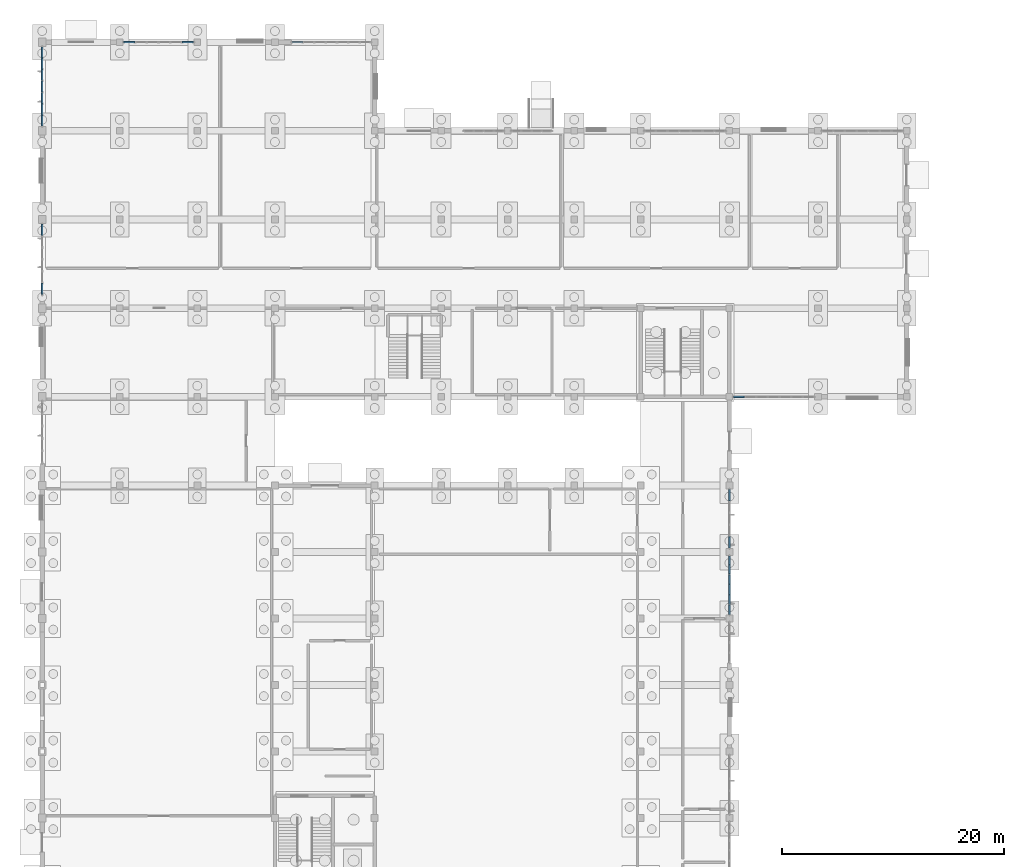
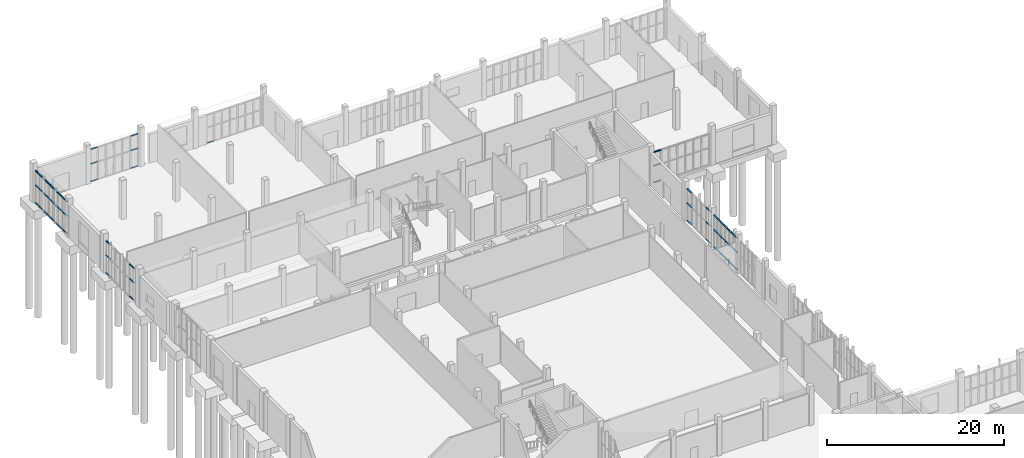
# One storey, part 26 of 69: 61 members, 8 elements without a shape of their own.
"""IFC4 building model written with IfcOpenShell, lengths in metres."""

import ifcopenshell
import ifcopenshell.guid

model = None  # the IFC model being written
_history = None  # IfcOwnerHistory: only IFC2X3 demands one
_inside = {}  # id of a spatial element -> (the spatial element, [elements in it])
_under = {}  # id of a project, library or spatial element -> (it, [spatial elements below it])
_declared = {}  # id of a project -> (the project, [libraries it declares])
_typed = {}  # id of a type object -> (the type object, [elements of that type])
_made_of = {}  # id of a material, layer set ... -> (it, [elements and type objects made of it])


def new_model(schema):
    """Start an empty IFC model of exactly this schema.

    Asked for "IFC4X3", IfcOpenShell would pick the latest addendum, in which some entities
    have other attributes; the version numbers below select the first issue.
    IFC2X3 requires an IfcOwnerHistory on every rooted entity: one is made here for all.
    """
    global model, _history
    if schema == "IFC4X3":
        model = ifcopenshell.file(schema_version=(4, 3, 0, 0))
    else:
        model = ifcopenshell.file(schema=schema)
    _inside.clear()
    _under.clear()
    _declared.clear()
    _typed.clear()
    _made_of.clear()
    _history = None
    if model.schema == "IFC2X3":
        org = make("IfcOrganization", Name="unknown")
        user = make(
            "IfcPersonAndOrganization",
            ThePerson=make("IfcPerson", FamilyName="unknown"),
            TheOrganization=org,
        )
        app = make(
            "IfcApplication",
            ApplicationDeveloper=org,
            Version="unknown",
            ApplicationFullName="unknown",
            ApplicationIdentifier="unknown",
        )
        _history = make(
            "IfcOwnerHistory",
            OwningUser=user,
            OwningApplication=app,
            ChangeAction="ADDED",
            CreationDate=0,
        )
    return model


def make(cls, **values):
    """One entity of the class cls with the attributes given. An attribute that is None is left unset."""
    return model.create_entity(
        cls, **{name: value for name, value in values.items() if value is not None}
    )


def rooted(cls, **values):
    """An entity with a GlobalId (a new one), such as an element, a storey or a relation."""
    return make(cls, GlobalId=ifcopenshell.guid.new(), OwnerHistory=_history, **values)


def si_unit(unit_type, name, prefix=None):
    """IfcSIUnit, for example si_unit("LENGTHUNIT", "METRE", prefix="MILLI")."""
    return make("IfcSIUnit", UnitType=unit_type, Prefix=prefix, Name=name)


def assignment(units):
    """IfcUnitAssignment: the units of a project."""
    return None if units is None else make("IfcUnitAssignment", Units=units)


def point(xyz):
    """IfcCartesianPoint."""
    return None if xyz is None else make("IfcCartesianPoint", Coordinates=xyz)


def direction(xyz):
    """IfcDirection."""
    return None if xyz is None else make("IfcDirection", DirectionRatios=xyz)


def frame(location, z_axis=None, x_axis=None):
    """IfcAxis2Placement3D, a coordinate frame: its origin and axes. An axis left out is left unset."""
    return make(
        "IfcAxis2Placement3D",
        Location=point(location),
        Axis=direction(z_axis),
        RefDirection=direction(x_axis),
    )


def frame_2d(location, x_axis=None):
    """IfcAxis2Placement2D, a coordinate frame in the plane: its origin and x axis."""
    return make(
        "IfcAxis2Placement2D", Location=point(location), RefDirection=direction(x_axis)
    )


def origin():
    """The frame at (0, 0, 0) with its axes left unset."""
    return frame((0.0, 0.0, 0.0))


def origin_2d():
    """The frame at (0, 0) in the plane with its x axis left unset."""
    return frame_2d((0.0, 0.0))


def place(relative_to, where):
    """IfcLocalPlacement: puts the frame where relative to a parent placement (None: the world)."""
    return make(
        "IfcLocalPlacement", PlacementRelTo=relative_to, RelativePlacement=where
    )


def context(
    kind, dimensions, precision=None, world=None, true_north=None, identifier=None
):
    """IfcGeometricRepresentationContext, for example the 3D "Model" context."""
    return make(
        "IfcGeometricRepresentationContext",
        ContextIdentifier=identifier,
        ContextType=kind,
        CoordinateSpaceDimension=dimensions,
        Precision=precision,
        WorldCoordinateSystem=world,
        TrueNorth=true_north,
    )


def subcontext(parent, identifier, kind, view, scale=None):
    """IfcGeometricRepresentationSubContext, for example "Body" below "Model"."""
    return make(
        "IfcGeometricRepresentationSubContext",
        ContextIdentifier=identifier,
        ContextType=kind,
        ParentContext=parent,
        TargetScale=scale,
        TargetView=view,
    )


def project(units=None, contexts=None):
    """IfcProject with its units and contexts."""
    return rooted(
        "IfcProject",
        Name="project",
        RepresentationContexts=contexts,
        UnitsInContext=assignment(units),
    )


def spatial(cls, under=None, at=None, **own):
    """A site, building, storey or space (cls), placed at a placement, below another one or the project."""
    s = rooted(cls, ObjectPlacement=at, **own)
    if under is not None:
        _under.setdefault(under.id(), (under, []))[1].append(s)
    return s


def profile(cls, at=None, kind="AREA", **sizes):
    """A parametric profile (cls). Its sizes go by their IFC names, for example OverallWidth=200.0."""
    return make(cls, ProfileType=kind, Position=at, **sizes)


def rectangle(**sizes):
    """IfcRectangleProfileDef."""
    return profile("IfcRectangleProfileDef", **sizes)


def extrude(swept, where, along, depth):
    """IfcExtrudedAreaSolid: the profile swept, set in the frame where, extruded along a direction by depth."""
    return make(
        "IfcExtrudedAreaSolid",
        SweptArea=swept,
        Position=where,
        ExtrudedDirection=direction(along),
        Depth=depth,
    )


def shape(context_of_items, identifier, shape_type, items):
    """IfcShapeRepresentation: the items that make up one representation, for example the "Body"."""
    return make(
        "IfcShapeRepresentation",
        ContextOfItems=context_of_items,
        RepresentationIdentifier=identifier,
        RepresentationType=shape_type,
        Items=items,
    )


def material(Name=None, Category=None):
    """IfcMaterial."""
    return make("IfcMaterial", Name=Name, Category=Category)


def layer(
    of_material, thickness, ventilated=None, Name=None, Category=None, Priority=None
):
    """IfcMaterialLayer: one layer of a wall or slab, of a material (None: an air gap)."""
    return make(
        "IfcMaterialLayer",
        Material=of_material,
        LayerThickness=thickness,
        IsVentilated=ventilated,
        Name=Name,
        Category=Category,
        Priority=Priority,
    )


def layer_set(layers, Name=None):
    """IfcMaterialLayerSet."""
    return make("IfcMaterialLayerSet", MaterialLayers=layers, LayerSetName=Name)


def material_profile(
    of_material, cross_section, Name=None, Category=None, Priority=None
):
    """IfcMaterialProfile: a cross section and its material."""
    return make(
        "IfcMaterialProfile",
        Name=Name,
        Material=of_material,
        Profile=cross_section,
        Priority=Priority,
        Category=Category,
    )


def profile_set(profiles, Name=None, composite=None):
    """IfcMaterialProfileSet."""
    return make(
        "IfcMaterialProfileSet",
        Name=Name,
        MaterialProfiles=profiles,
        CompositeProfile=composite,
    )


def made_of(thing, what):
    """Note that an element or type object is made of a material, layer set ...; save() writes the relation."""
    if what is not None:
        _made_of.setdefault(what.id(), (what, []))[1].append(thing)
    return thing


def type_object(cls, material=None, **own):
    """A type object (cls), such as IfcWallType, which elements share."""
    return made_of(rooted(cls, **own), material)


def element(
    cls,
    number,
    at=None,
    inside=None,
    cuts=None,
    type_object=None,
    material=None,
    context=None,
    identifier="Body",
    shape_type=None,
    held_by="IfcProductDefinitionShape",
    body=None,
    shapes=None,
    **own,
):
    """One element of the class cls, such as IfcWall. Its Tag is "e" and its number.

    at: its placement. inside: the storey or other place that contains it. cuts: it is an
    opening in that element (IfcRelVoidsElement). A single representation is given by context,
    identifier, shape_type and body (its items); several are given by shapes. held_by: the class
    of the entity that holds the representations. save() writes the other relations.
    """
    e = rooted(cls, Tag="e%d" % number, ObjectPlacement=at, **own)
    if body is not None:
        shapes = [shape(context, identifier, shape_type, body)]
    if shapes is not None:
        e.Representation = make(held_by, Representations=shapes)
    if inside is not None:
        _inside.setdefault(inside.id(), (inside, []))[1].append(e)
    if cuts is not None:
        rooted(
            "IfcRelVoidsElement", RelatingBuildingElement=cuts, RelatedOpeningElement=e
        )
    if type_object is not None:
        _typed.setdefault(type_object.id(), (type_object, []))[1].append(e)
    return made_of(e, material)


def aggregate(whole, parts):
    """IfcRelAggregates: a whole, such as a stair, and the parts it consists of."""
    return rooted("IfcRelAggregates", RelatingObject=whole, RelatedObjects=parts)


def save(model, path):
    """Write the relations noted so far, then the file.

    IfcRelAggregates (storeys below a building ...), IfcRelContainedInSpatialStructure (elements
    in a storey), IfcRelDefinesByType, IfcRelAssociatesMaterial and IfcRelDeclares: one each for
    every whole, place, type object, material and project.
    """
    for whole, parts in _under.values():
        aggregate(whole, parts)
    for where, things in _inside.values():
        rooted(
            "IfcRelContainedInSpatialStructure",
            RelatedElements=things,
            RelatingStructure=where,
        )
    for kind, things in _typed.values():
        rooted("IfcRelDefinesByType", RelatedObjects=things, RelatingType=kind)
    for what, things in _made_of.values():
        rooted("IfcRelAssociatesMaterial", RelatedObjects=things, RelatingMaterial=what)
    for by, libraries in _declared.values():
        rooted("IfcRelDeclares", RelatingContext=by, RelatedDefinitions=libraries)
    model.write(path)


model = new_model("IFC4")

# Units and contexts
model_context = context("Model", 3, precision=1e-05, world=origin(), true_north=direction((0.0, 1.0)))
body_context = subcontext(model_context, "Body", "Model", "MODEL_VIEW")
ifc_project = project(units=[si_unit("LENGTHUNIT", "METRE"), si_unit("AREAUNIT", "SQUARE_METRE"), si_unit("VOLUMEUNIT", "CUBIC_METRE"), si_unit("PLANEANGLEUNIT", "RADIAN"), si_unit("MASSUNIT", "GRAM", prefix="KILO")], contexts=[model_context])

# Site, building, storey
site_placement = place(None, origin())
site = spatial("IfcSite", under=ifc_project, at=site_placement, CompositionType="ELEMENT")
building_placement = place(site_placement, origin())
building = spatial("IfcBuilding", under=site, at=building_placement, Name="Solvane Community Centre", CompositionType="ELEMENT")
storey_placement = place(building_placement, origin())
storey = spatial("IfcBuildingStorey", under=building, at=storey_placement, Name="L00", CompositionType="ELEMENT", Elevation=0.0)

# Curtain wall, members
ifc_material = material(Name="Anodised bronze aluminium AW-6063 T6", Category="aluminium")
ifc_layer_1 = layer(ifc_material, 0.18994140625)
ifc_layer_set_1 = layer_set([ifc_layer_1], Name="Anodised bronze aluminium AW-6063 T6")
curtain_wall_type_1 = type_object("IfcCurtainWallType", Name="Boulevard Bronze Vision Curtain Wall [64x44dm]", PredefinedType="NOTDEFINED", material=ifc_layer_set_1)
curtain_wall_1_placement = place(storey_placement, origin())
curtain_wall_1 = element("IfcCurtainWall", 1, at=curtain_wall_1_placement, inside=storey, type_object=curtain_wall_type_1, Name="Curtain Wall CW-L00-60_952-006", PredefinedType="NOTDEFINED")
ifc_material_profile = material_profile(ifc_material, rectangle(XDim=0.14990234375, YDim=0.06005859375, at=origin_2d()), Name="CW-T 60x150")
ifc_profile_set = profile_set([ifc_material_profile], Name="Anodised bronze aluminium AW-6063 T6")
member_type = type_object("IfcMemberType", Name="Boulevard Transom 60x150", PredefinedType="USERDEFINED", material=ifc_profile_set)
member_1_placement = place(storey_placement, frame((6.0, 95.260009765625, 0.030029296875), z_axis=(0.0, 1.0, 0.0), x_axis=(-1.0, 0.0, 0.0)))
member_1 = element("IfcMember", 2, at=member_1_placement, type_object=member_type, Name="CW02-64x44 transom 1.1", ObjectType="TRANSOM", PredefinedType="USERDEFINED", context=body_context, shape_type="SweptSolid", body=[
    extrude(rectangle(XDim=0.14990234375, YDim=0.06005859375, at=origin_2d()), origin(), (0.0, 0.0, 1.0), 0.978271484375),
])
member_2_placement = place(storey_placement, frame((6.0, 95.260009765625, 2.445068359375), z_axis=(0.0, 1.0, 0.0), x_axis=(-1.0, 0.0, 0.0)))
member_2 = element("IfcMember", 3, at=member_2_placement, type_object=member_type, Name="CW02-64x44 transom 1.2", ObjectType="TRANSOM", PredefinedType="USERDEFINED", context=body_context, shape_type="SweptSolid", body=[
    extrude(rectangle(XDim=0.14990234375, YDim=0.06005859375, at=origin_2d()), origin(), (0.0, 0.0, 1.0), 0.978271484375),
])
member_3_placement = place(storey_placement, frame((6.0, 95.260009765625, 4.4150390625), z_axis=(0.0, 1.0, 0.0), x_axis=(-1.0, 0.0, 0.0)))
member_3 = element("IfcMember", 4, at=member_3_placement, type_object=member_type, Name="CW02-64x44 transom 1.3", ObjectType="TRANSOM", PredefinedType="USERDEFINED", context=body_context, shape_type="SweptSolid", body=[
    extrude(rectangle(XDim=0.14990234375, YDim=0.06005859375, at=origin_2d()), origin(), (0.0, 0.0, 1.0), 0.978271484375),
])
member_4_placement = place(storey_placement, frame((6.0, 100.57177734375, 0.030029296875), z_axis=(0.0, 1.0, 0.0), x_axis=(-1.0, 0.0, 0.0)))
member_4 = element("IfcMember", 5, at=member_4_placement, type_object=member_type, Name="CW02-64x44 transom 6.1", ObjectType="TRANSOM", PredefinedType="USERDEFINED", context=body_context, shape_type="SweptSolid", body=[
    extrude(rectangle(XDim=0.14990234375, YDim=0.06005859375, at=origin_2d()), origin(), (0.0, 0.0, 1.0), 0.978271484375),
])
member_5_placement = place(storey_placement, frame((6.0, 100.57177734375, 2.445068359375), z_axis=(0.0, 1.0, 0.0), x_axis=(-1.0, 0.0, 0.0)))
member_5 = element("IfcMember", 6, at=member_5_placement, type_object=member_type, Name="CW02-64x44 transom 6.2", ObjectType="TRANSOM", PredefinedType="USERDEFINED", context=body_context, shape_type="SweptSolid", body=[
    extrude(rectangle(XDim=0.14990234375, YDim=0.06005859375, at=origin_2d()), origin(), (0.0, 0.0, 1.0), 0.978271484375),
])
member_6_placement = place(storey_placement, frame((6.0, 100.57177734375, 4.4150390625), z_axis=(0.0, 1.0, 0.0), x_axis=(-1.0, 0.0, 0.0)))
member_6 = element("IfcMember", 7, at=member_6_placement, type_object=member_type, Name="CW02-64x44 transom 6.3", ObjectType="TRANSOM", PredefinedType="USERDEFINED", context=body_context, shape_type="SweptSolid", body=[
    extrude(rectangle(XDim=0.14990234375, YDim=0.06005859375, at=origin_2d()), origin(), (0.0, 0.0, 1.0), 0.978271484375),
])
aggregate(curtain_wall_1, [member_1, member_2, member_3, member_4, member_5, member_6])

ifc_layer_2 = layer(ifc_material, 0.18994140625)
ifc_layer_set_2 = layer_set([ifc_layer_2], Name="Anodised bronze aluminium AW-6063 T6")
curtain_wall_type_2 = type_object("IfcCurtainWallType", Name="Boulevard Bronze Vision Curtain Wall [72x44dm]", PredefinedType="NOTDEFINED", material=ifc_layer_set_2)
curtain_wall_2_placement = place(storey_placement, origin())
curtain_wall_2 = element("IfcCurtainWall", 8, at=curtain_wall_2_placement, inside=storey, type_object=curtain_wall_type_2, Name="Curtain Wall CW-L00-60_1104-007", PredefinedType="NOTDEFINED")
member_7_placement = place(storey_placement, frame((6.0, 110.449951171875, 0.030029296875), z_axis=(0.0, 1.0, 0.0), x_axis=(-1.0, 0.0, 0.0)))
member_7 = element("IfcMember", 9, at=member_7_placement, type_object=member_type, Name="CW02-72x44 transom 1.1", ObjectType="TRANSOM", PredefinedType="USERDEFINED", context=body_context, shape_type="SweptSolid", body=[
    extrude(rectangle(XDim=0.14990234375, YDim=0.06005859375, at=origin_2d()), origin(), (0.0, 0.0, 1.0), 0.94140625),
])
member_8_placement = place(storey_placement, frame((6.0, 110.449951171875, 2.445068359375), z_axis=(0.0, 1.0, 0.0), x_axis=(-1.0, 0.0, 0.0)))
member_8 = element("IfcMember", 10, at=member_8_placement, type_object=member_type, Name="CW02-72x44 transom 1.2", ObjectType="TRANSOM", PredefinedType="USERDEFINED", context=body_context, shape_type="SweptSolid", body=[
    extrude(rectangle(XDim=0.14990234375, YDim=0.06005859375, at=origin_2d()), origin(), (0.0, 0.0, 1.0), 0.94140625),
])
member_9_placement = place(storey_placement, frame((6.0, 110.449951171875, 4.4150390625), z_axis=(0.0, 1.0, 0.0), x_axis=(-1.0, 0.0, 0.0)))
member_9 = element("IfcMember", 11, at=member_9_placement, type_object=member_type, Name="CW02-72x44 transom 1.3", ObjectType="TRANSOM", PredefinedType="USERDEFINED", context=body_context, shape_type="SweptSolid", body=[
    extrude(rectangle(XDim=0.14990234375, YDim=0.06005859375, at=origin_2d()), origin(), (0.0, 0.0, 1.0), 0.94140625),
])
member_10_placement = place(storey_placement, frame((6.0, 111.451416015625, 0.030029296875), z_axis=(0.0, 1.0, 0.0), x_axis=(-1.0, 0.0, 0.0)))
member_10 = element("IfcMember", 12, at=member_10_placement, type_object=member_type, Name="CW02-72x44 transom 2.1", ObjectType="TRANSOM", PredefinedType="USERDEFINED", context=body_context, shape_type="SweptSolid", body=[
    extrude(rectangle(XDim=0.14990234375, YDim=0.06005859375, at=origin_2d()), origin(), (0.0, 0.0, 1.0), 0.971435546875),
])
member_11_placement = place(storey_placement, frame((6.0, 111.451416015625, 2.445068359375), z_axis=(0.0, 1.0, 0.0), x_axis=(-1.0, 0.0, 0.0)))
member_11 = element("IfcMember", 13, at=member_11_placement, type_object=member_type, Name="CW02-72x44 transom 2.2", ObjectType="TRANSOM", PredefinedType="USERDEFINED", context=body_context, shape_type="SweptSolid", body=[
    extrude(rectangle(XDim=0.14990234375, YDim=0.06005859375, at=origin_2d()), origin(), (0.0, 0.0, 1.0), 0.971435546875),
])
member_12_placement = place(storey_placement, frame((6.0, 111.451416015625, 4.4150390625), z_axis=(0.0, 1.0, 0.0), x_axis=(-1.0, 0.0, 0.0)))
member_12 = element("IfcMember", 14, at=member_12_placement, type_object=member_type, Name="CW02-72x44 transom 2.3", ObjectType="TRANSOM", PredefinedType="USERDEFINED", context=body_context, shape_type="SweptSolid", body=[
    extrude(rectangle(XDim=0.14990234375, YDim=0.06005859375, at=origin_2d()), origin(), (0.0, 0.0, 1.0), 0.971435546875),
])
member_13_placement = place(storey_placement, frame((6.0, 112.48291015625, 0.030029296875), z_axis=(0.0, 1.0, 0.0), x_axis=(-1.0, 0.0, 0.0)))
member_13 = element("IfcMember", 15, at=member_13_placement, type_object=member_type, Name="CW02-72x44 transom 3.1", ObjectType="TRANSOM", PredefinedType="USERDEFINED", context=body_context, shape_type="SweptSolid", body=[
    extrude(rectangle(XDim=0.14990234375, YDim=0.06005859375, at=origin_2d()), origin(), (0.0, 0.0, 1.0), 0.971435546875),
])
member_14_placement = place(storey_placement, frame((6.0, 112.48291015625, 2.445068359375), z_axis=(0.0, 1.0, 0.0), x_axis=(-1.0, 0.0, 0.0)))
member_14 = element("IfcMember", 16, at=member_14_placement, type_object=member_type, Name="CW02-72x44 transom 3.2", ObjectType="TRANSOM", PredefinedType="USERDEFINED", context=body_context, shape_type="SweptSolid", body=[
    extrude(rectangle(XDim=0.14990234375, YDim=0.06005859375, at=origin_2d()), origin(), (0.0, 0.0, 1.0), 0.971435546875),
])
member_15_placement = place(storey_placement, frame((6.0, 112.48291015625, 4.4150390625), z_axis=(0.0, 1.0, 0.0), x_axis=(-1.0, 0.0, 0.0)))
member_15 = element("IfcMember", 17, at=member_15_placement, type_object=member_type, Name="CW02-72x44 transom 3.3", ObjectType="TRANSOM", PredefinedType="USERDEFINED", context=body_context, shape_type="SweptSolid", body=[
    extrude(rectangle(XDim=0.14990234375, YDim=0.06005859375, at=origin_2d()), origin(), (0.0, 0.0, 1.0), 0.971435546875),
])
member_16_placement = place(storey_placement, frame((6.0, 113.514404296875, 0.030029296875), z_axis=(0.0, 1.0, 0.0), x_axis=(-1.0, 0.0, 0.0)))
member_16 = element("IfcMember", 18, at=member_16_placement, type_object=member_type, Name="CW02-72x44 transom 4.1", ObjectType="TRANSOM", PredefinedType="USERDEFINED", context=body_context, shape_type="SweptSolid", body=[
    extrude(rectangle(XDim=0.14990234375, YDim=0.06005859375, at=origin_2d()), origin(), (0.0, 0.0, 1.0), 0.97119140625),
])
member_17_placement = place(storey_placement, frame((6.0, 113.514404296875, 2.445068359375), z_axis=(0.0, 1.0, 0.0), x_axis=(-1.0, 0.0, 0.0)))
member_17 = element("IfcMember", 19, at=member_17_placement, type_object=member_type, Name="CW02-72x44 transom 4.2", ObjectType="TRANSOM", PredefinedType="USERDEFINED", context=body_context, shape_type="SweptSolid", body=[
    extrude(rectangle(XDim=0.14990234375, YDim=0.06005859375, at=origin_2d()), origin(), (0.0, 0.0, 1.0), 0.97119140625),
])
member_18_placement = place(storey_placement, frame((6.0, 113.514404296875, 4.4150390625), z_axis=(0.0, 1.0, 0.0), x_axis=(-1.0, 0.0, 0.0)))
member_18 = element("IfcMember", 20, at=member_18_placement, type_object=member_type, Name="CW02-72x44 transom 4.3", ObjectType="TRANSOM", PredefinedType="USERDEFINED", context=body_context, shape_type="SweptSolid", body=[
    extrude(rectangle(XDim=0.14990234375, YDim=0.06005859375, at=origin_2d()), origin(), (0.0, 0.0, 1.0), 0.97119140625),
])
member_19_placement = place(storey_placement, frame((6.0, 114.545654296875, 0.030029296875), z_axis=(0.0, 1.0, 0.0), x_axis=(-1.0, 0.0, 0.0)))
member_19 = element("IfcMember", 21, at=member_19_placement, type_object=member_type, Name="CW02-72x44 transom 5.1", ObjectType="TRANSOM", PredefinedType="USERDEFINED", context=body_context, shape_type="SweptSolid", body=[
    extrude(rectangle(XDim=0.14990234375, YDim=0.06005859375, at=origin_2d()), origin(), (0.0, 0.0, 1.0), 0.971435546875),
])
member_20_placement = place(storey_placement, frame((6.0, 114.545654296875, 2.445068359375), z_axis=(0.0, 1.0, 0.0), x_axis=(-1.0, 0.0, 0.0)))
member_20 = element("IfcMember", 22, at=member_20_placement, type_object=member_type, Name="CW02-72x44 transom 5.2", ObjectType="TRANSOM", PredefinedType="USERDEFINED", context=body_context, shape_type="SweptSolid", body=[
    extrude(rectangle(XDim=0.14990234375, YDim=0.06005859375, at=origin_2d()), origin(), (0.0, 0.0, 1.0), 0.971435546875),
])
member_21_placement = place(storey_placement, frame((6.0, 114.545654296875, 4.4150390625), z_axis=(0.0, 1.0, 0.0), x_axis=(-1.0, 0.0, 0.0)))
member_21 = element("IfcMember", 23, at=member_21_placement, type_object=member_type, Name="CW02-72x44 transom 5.3", ObjectType="TRANSOM", PredefinedType="USERDEFINED", context=body_context, shape_type="SweptSolid", body=[
    extrude(rectangle(XDim=0.14990234375, YDim=0.06005859375, at=origin_2d()), origin(), (0.0, 0.0, 1.0), 0.971435546875),
])
member_22_placement = place(storey_placement, frame((6.0, 115.5771484375, 0.030029296875), z_axis=(0.0, 1.0, 0.0), x_axis=(-1.0, 0.0, 0.0)))
member_22 = element("IfcMember", 24, at=member_22_placement, type_object=member_type, Name="CW02-72x44 transom 6.1", ObjectType="TRANSOM", PredefinedType="USERDEFINED", context=body_context, shape_type="SweptSolid", body=[
    extrude(rectangle(XDim=0.14990234375, YDim=0.06005859375, at=origin_2d()), origin(), (0.0, 0.0, 1.0), 0.971435546875),
])
member_23_placement = place(storey_placement, frame((6.0, 115.5771484375, 2.445068359375), z_axis=(0.0, 1.0, 0.0), x_axis=(-1.0, 0.0, 0.0)))
member_23 = element("IfcMember", 25, at=member_23_placement, type_object=member_type, Name="CW02-72x44 transom 6.2", ObjectType="TRANSOM", PredefinedType="USERDEFINED", context=body_context, shape_type="SweptSolid", body=[
    extrude(rectangle(XDim=0.14990234375, YDim=0.06005859375, at=origin_2d()), origin(), (0.0, 0.0, 1.0), 0.971435546875),
])
member_24_placement = place(storey_placement, frame((6.0, 115.5771484375, 4.4150390625), z_axis=(0.0, 1.0, 0.0), x_axis=(-1.0, 0.0, 0.0)))
member_24 = element("IfcMember", 26, at=member_24_placement, type_object=member_type, Name="CW02-72x44 transom 6.3", ObjectType="TRANSOM", PredefinedType="USERDEFINED", context=body_context, shape_type="SweptSolid", body=[
    extrude(rectangle(XDim=0.14990234375, YDim=0.06005859375, at=origin_2d()), origin(), (0.0, 0.0, 1.0), 0.971435546875),
])
member_25_placement = place(storey_placement, frame((6.0, 116.608642578125, 0.030029296875), z_axis=(0.0, 1.0, 0.0), x_axis=(-1.0, 0.0, 0.0)))
member_25 = element("IfcMember", 27, at=member_25_placement, type_object=member_type, Name="CW02-72x44 transom 7.1", ObjectType="TRANSOM", PredefinedType="USERDEFINED", context=body_context, shape_type="SweptSolid", body=[
    extrude(rectangle(XDim=0.14990234375, YDim=0.06005859375, at=origin_2d()), origin(), (0.0, 0.0, 1.0), 0.94140625),
])
member_26_placement = place(storey_placement, frame((6.0, 116.608642578125, 2.445068359375), z_axis=(0.0, 1.0, 0.0), x_axis=(-1.0, 0.0, 0.0)))
member_26 = element("IfcMember", 28, at=member_26_placement, type_object=member_type, Name="CW02-72x44 transom 7.2", ObjectType="TRANSOM", PredefinedType="USERDEFINED", context=body_context, shape_type="SweptSolid", body=[
    extrude(rectangle(XDim=0.14990234375, YDim=0.06005859375, at=origin_2d()), origin(), (0.0, 0.0, 1.0), 0.94140625),
])
member_27_placement = place(storey_placement, frame((6.0, 116.608642578125, 4.4150390625), z_axis=(0.0, 1.0, 0.0), x_axis=(-1.0, 0.0, 0.0)))
member_27 = element("IfcMember", 29, at=member_27_placement, type_object=member_type, Name="CW02-72x44 transom 7.3", ObjectType="TRANSOM", PredefinedType="USERDEFINED", context=body_context, shape_type="SweptSolid", body=[
    extrude(rectangle(XDim=0.14990234375, YDim=0.06005859375, at=origin_2d()), origin(), (0.0, 0.0, 1.0), 0.94140625),
])
aggregate(curtain_wall_2, [member_7, member_8, member_9, member_10, member_11, member_12, member_13, member_14, member_15, member_16, member_17, member_18, member_19, member_20, member_21, member_22, member_23, member_24, member_25, member_26, member_27])

ifc_layer_3 = layer(ifc_material, 0.18994140625)
ifc_layer_set_3 = layer_set([ifc_layer_3], Name="Anodised bronze aluminium AW-6063 T6")
curtain_wall_type_3 = type_object("IfcCurtainWallType", Name="Boulevard Bronze Vision Curtain Wall [64x45dm]", PredefinedType="NOTDEFINED", material=ifc_layer_set_3)
curtain_wall_3_placement = place(storey_placement, origin())
curtain_wall_3 = element("IfcCurtainWall", 30, at=curtain_wall_3_placement, inside=storey, type_object=curtain_wall_type_3, Name="Curtain Wall CW-L00-133_1180-008", PredefinedType="NOTDEFINED")
member_28_placement = place(storey_placement, frame((13.3798828125, 118.0, 0.030029296875), z_axis=(1.0, 0.0, 0.0), x_axis=(0.0, 1.0, 0.0)))
member_28 = element("IfcMember", 31, at=member_28_placement, type_object=member_type, Name="CW02-64x45 transom 1.1", ObjectType="TRANSOM", PredefinedType="USERDEFINED", context=body_context, shape_type="SweptSolid", body=[
    extrude(rectangle(XDim=0.14990234375, YDim=0.06005859375, at=origin_2d()), origin(), (0.0, 0.0, 1.0), 0.97021484375),
])
member_29_placement = place(storey_placement, frame((13.3798828125, 118.0, 2.471923828125), z_axis=(1.0, 0.0, 0.0), x_axis=(0.0, 1.0, 0.0)))
member_29 = element("IfcMember", 32, at=member_29_placement, type_object=member_type, Name="CW02-64x45 transom 1.2", ObjectType="TRANSOM", PredefinedType="USERDEFINED", context=body_context, shape_type="SweptSolid", body=[
    extrude(rectangle(XDim=0.14990234375, YDim=0.06005859375, at=origin_2d()), origin(), (0.0, 0.0, 1.0), 0.97021484375),
])
member_30_placement = place(storey_placement, frame((13.3798828125, 118.0, 4.465087890625), z_axis=(1.0, 0.0, 0.0), x_axis=(0.0, 1.0, 0.0)))
member_30 = element("IfcMember", 33, at=member_30_placement, type_object=member_type, Name="CW02-64x45 transom 1.3", ObjectType="TRANSOM", PredefinedType="USERDEFINED", context=body_context, shape_type="SweptSolid", body=[
    extrude(rectangle(XDim=0.14990234375, YDim=0.06005859375, at=origin_2d()), origin(), (0.0, 0.0, 1.0), 0.97021484375),
])
member_31_placement = place(storey_placement, frame((18.64990234375, 118.0, 0.030029296875), z_axis=(1.0, 0.0, 0.0), x_axis=(0.0, 1.0, 0.0)))
member_31 = element("IfcMember", 34, at=member_31_placement, type_object=member_type, Name="CW02-64x45 transom 6.1", ObjectType="TRANSOM", PredefinedType="USERDEFINED", context=body_context, shape_type="SweptSolid", body=[
    extrude(rectangle(XDim=0.14990234375, YDim=0.06005859375, at=origin_2d()), origin(), (0.0, 0.0, 1.0), 0.97021484375),
])
member_32_placement = place(storey_placement, frame((18.64990234375, 118.0, 2.471923828125), z_axis=(1.0, 0.0, 0.0), x_axis=(0.0, 1.0, 0.0)))
member_32 = element("IfcMember", 35, at=member_32_placement, type_object=member_type, Name="CW02-64x45 transom 6.2", ObjectType="TRANSOM", PredefinedType="USERDEFINED", context=body_context, shape_type="SweptSolid", body=[
    extrude(rectangle(XDim=0.14990234375, YDim=0.06005859375, at=origin_2d()), origin(), (0.0, 0.0, 1.0), 0.97021484375),
])
member_33_placement = place(storey_placement, frame((18.64990234375, 118.0, 4.465087890625), z_axis=(1.0, 0.0, 0.0), x_axis=(0.0, 1.0, 0.0)))
member_33 = element("IfcMember", 36, at=member_33_placement, type_object=member_type, Name="CW02-64x45 transom 6.3", ObjectType="TRANSOM", PredefinedType="USERDEFINED", context=body_context, shape_type="SweptSolid", body=[
    extrude(rectangle(XDim=0.14990234375, YDim=0.06005859375, at=origin_2d()), origin(), (0.0, 0.0, 1.0), 0.97021484375),
])
aggregate(curtain_wall_3, [member_28, member_29, member_30, member_31, member_32, member_33])

# Curtain wall, member
ifc_layer_4 = layer(ifc_material, 0.18994140625)
ifc_layer_set_4 = layer_set([ifc_layer_4], Name="Anodised bronze aluminium AW-6063 T6")
curtain_wall_type_4 = type_object("IfcCurtainWallType", Name="Boulevard Bronze Vision Curtain Wall [72x39dm]", PredefinedType="NOTDEFINED", material=ifc_layer_set_4)
curtain_wall_4_placement = place(storey_placement, origin())
curtain_wall_4 = element("IfcCurtainWall", 37, at=curtain_wall_4_placement, inside=storey, type_object=curtain_wall_type_4, Name="Curtain Wall CW-L00-285_1180-009", PredefinedType="NOTDEFINED")
member_34_placement = place(storey_placement, frame((28.56005859375, 118.0, 0.030029296875), z_axis=(1.0, 0.0, 0.0), x_axis=(0.0, 1.0, 0.0)))
member_34 = element("IfcMember", 38, at=member_34_placement, type_object=member_type, Name="CW02-72x39 transom 1.1", ObjectType="TRANSOM", PredefinedType="USERDEFINED", context=body_context, shape_type="SweptSolid", body=[
    extrude(rectangle(XDim=0.14990234375, YDim=0.06005859375, at=origin_2d()), origin(), (0.0, 0.0, 1.0), 0.935546875),
])
aggregate(curtain_wall_4, [member_34])

# Curtain wall, members
ifc_layer_5 = layer(ifc_material, 0.18994140625)
ifc_layer_set_5 = layer_set([ifc_layer_5], Name="Anodised bronze aluminium AW-6063 T6")
curtain_wall_type_5 = type_object("IfcCurtainWallType", Name="Boulevard Bronze Vision Curtain Wall [74x42dm]", PredefinedType="NOTDEFINED", material=ifc_layer_set_5)
curtain_wall_5_placement = place(storey_placement, origin())
curtain_wall_5 = element("IfcCurtainWall", 39, at=curtain_wall_5_placement, inside=storey, type_object=curtain_wall_type_5, Name="Curtain Wall CW-L00-757_860-014", PredefinedType="NOTDEFINED")
member_35_placement = place(storey_placement, frame((69.337158203125, 86.0, 0.030029296875), z_axis=(-1.0, 0.0, 0.0), x_axis=(0.0, -1.0, 0.0)))
member_35 = element("IfcMember", 40, at=member_35_placement, type_object=member_type, Name="CW02-74x42 transom 7.1", ObjectType="TRANSOM", PredefinedType="USERDEFINED", context=body_context, shape_type="SweptSolid", body=[
    extrude(rectangle(XDim=0.14990234375, YDim=0.06005859375, at=origin_2d()), origin(), (0.0, 0.0, 1.0), 0.962158203125),
])
member_36_placement = place(storey_placement, frame((69.337158203125, 86.0, 2.3349609375), z_axis=(-1.0, 0.0, 0.0), x_axis=(0.0, -1.0, 0.0)))
member_36 = element("IfcMember", 41, at=member_36_placement, type_object=member_type, Name="CW02-74x42 transom 7.2", ObjectType="TRANSOM", PredefinedType="USERDEFINED", context=body_context, shape_type="SweptSolid", body=[
    extrude(rectangle(XDim=0.14990234375, YDim=0.06005859375, at=origin_2d()), origin(), (0.0, 0.0, 1.0), 0.962158203125),
])
member_37_placement = place(storey_placement, frame((69.337158203125, 86.0, 4.215087890625), z_axis=(-1.0, 0.0, 0.0), x_axis=(0.0, -1.0, 0.0)))
member_37 = element("IfcMember", 42, at=member_37_placement, type_object=member_type, Name="CW02-74x42 transom 7.3", ObjectType="TRANSOM", PredefinedType="USERDEFINED", context=body_context, shape_type="SweptSolid", body=[
    extrude(rectangle(XDim=0.14990234375, YDim=0.06005859375, at=origin_2d()), origin(), (0.0, 0.0, 1.0), 0.962158203125),
])
aggregate(curtain_wall_5, [member_35, member_36, member_37])

ifc_layer_6 = layer(ifc_material, 0.18994140625)
ifc_layer_set_6 = layer_set([ifc_layer_6], Name="Anodised bronze aluminium AW-6063 T6")
curtain_wall_type_6 = type_object("IfcCurtainWallType", Name="Boulevard Bronze Vision Curtain Wall [54x44dm]", PredefinedType="NOTDEFINED", material=ifc_layer_set_6)
curtain_wall_6_placement = place(storey_placement, origin())
curtain_wall_6 = element("IfcCurtainWall", 43, at=curtain_wall_6_placement, inside=storey, type_object=curtain_wall_type_6, Name="Curtain Wall CW-L00-680_777-015", PredefinedType="NOTDEFINED")
member_38_placement = place(storey_placement, frame((68.0, 77.6201171875, 0.030029296875), z_axis=(0.0, -1.0, 0.0), x_axis=(1.0, 0.0, 0.0)))
member_38 = element("IfcMember", 44, at=member_38_placement, type_object=member_type, Name="CW02-54x44 transom 1.1", ObjectType="TRANSOM", PredefinedType="USERDEFINED", context=body_context, shape_type="SweptSolid", body=[
    extrude(rectangle(XDim=0.14990234375, YDim=0.06005859375, at=origin_2d()), origin(), (0.0, 0.0, 1.0), 0.982177734375),
])
member_39_placement = place(storey_placement, frame((68.0, 77.6201171875, 2.43408203125), z_axis=(0.0, -1.0, 0.0), x_axis=(1.0, 0.0, 0.0)))
member_39 = element("IfcMember", 45, at=member_39_placement, type_object=member_type, Name="CW02-54x44 transom 1.2", ObjectType="TRANSOM", PredefinedType="USERDEFINED", context=body_context, shape_type="SweptSolid", body=[
    extrude(rectangle(XDim=0.14990234375, YDim=0.06005859375, at=origin_2d()), origin(), (0.0, 0.0, 1.0), 0.982177734375),
])
member_40_placement = place(storey_placement, frame((68.0, 77.6201171875, 4.39501953125), z_axis=(0.0, -1.0, 0.0), x_axis=(1.0, 0.0, 0.0)))
member_40 = element("IfcMember", 46, at=member_40_placement, type_object=member_type, Name="CW02-54x44 transom 1.3", ObjectType="TRANSOM", PredefinedType="USERDEFINED", context=body_context, shape_type="SweptSolid", body=[
    extrude(rectangle(XDim=0.14990234375, YDim=0.06005859375, at=origin_2d()), origin(), (0.0, 0.0, 1.0), 0.982177734375),
])
member_41_placement = place(storey_placement, frame((68.0, 73.362060546875, 0.030029296875), z_axis=(0.0, -1.0, 0.0), x_axis=(1.0, 0.0, 0.0)))
member_41 = element("IfcMember", 47, at=member_41_placement, type_object=member_type, Name="CW02-54x44 transom 5.1", ObjectType="TRANSOM", PredefinedType="USERDEFINED", context=body_context, shape_type="SweptSolid", body=[
    extrude(rectangle(XDim=0.14990234375, YDim=0.06005859375, at=origin_2d()), origin(), (0.0, 0.0, 1.0), 0.982177734375),
])
member_42_placement = place(storey_placement, frame((68.0, 73.362060546875, 2.43408203125), z_axis=(0.0, -1.0, 0.0), x_axis=(1.0, 0.0, 0.0)))
member_42 = element("IfcMember", 48, at=member_42_placement, type_object=member_type, Name="CW02-54x44 transom 5.2", ObjectType="TRANSOM", PredefinedType="USERDEFINED", context=body_context, shape_type="SweptSolid", body=[
    extrude(rectangle(XDim=0.14990234375, YDim=0.06005859375, at=origin_2d()), origin(), (0.0, 0.0, 1.0), 0.982177734375),
])
member_43_placement = place(storey_placement, frame((68.0, 73.362060546875, 4.39501953125), z_axis=(0.0, -1.0, 0.0), x_axis=(1.0, 0.0, 0.0)))
member_43 = element("IfcMember", 49, at=member_43_placement, type_object=member_type, Name="CW02-54x44 transom 5.3", ObjectType="TRANSOM", PredefinedType="USERDEFINED", context=body_context, shape_type="SweptSolid", body=[
    extrude(rectangle(XDim=0.14990234375, YDim=0.06005859375, at=origin_2d()), origin(), (0.0, 0.0, 1.0), 0.982177734375),
])
aggregate(curtain_wall_6, [member_38, member_39, member_40, member_41, member_42, member_43])

ifc_layer_7 = layer(ifc_material, 0.18994140625)
ifc_layer_set_7 = layer_set([ifc_layer_7], Name="Anodised bronze aluminium AW-6063 T6")
curtain_wall_type_7 = type_object("IfcCurtainWallType", Name="Boulevard Bronze Vision Curtain Wall [17x44dm]", PredefinedType="NOTDEFINED", material=ifc_layer_set_7)
curtain_wall_7_placement = place(storey_placement, origin())
curtain_wall_7 = element("IfcCurtainWall", 50, at=curtain_wall_7_placement, inside=storey, type_object=curtain_wall_type_7, Name="Curtain Wall CW-L00-680_717-016", PredefinedType="NOTDEFINED")
member_44_placement = place(storey_placement, frame((68.0, 71.6201171875, 0.030029296875), z_axis=(0.0, -1.0, 0.0), x_axis=(1.0, 0.0, 0.0)))
member_44 = element("IfcMember", 51, at=member_44_placement, type_object=member_type, Name="CW02-17x44 transom 1.1", ObjectType="TRANSOM", PredefinedType="USERDEFINED", context=body_context, shape_type="SweptSolid", body=[
    extrude(rectangle(XDim=0.14990234375, YDim=0.06005859375, at=origin_2d()), origin(), (0.0, 0.0, 1.0), 0.75),
])
member_45_placement = place(storey_placement, frame((68.0, 71.6201171875, 2.43408203125), z_axis=(0.0, -1.0, 0.0), x_axis=(1.0, 0.0, 0.0)))
member_45 = element("IfcMember", 52, at=member_45_placement, type_object=member_type, Name="CW02-17x44 transom 1.2", ObjectType="TRANSOM", PredefinedType="USERDEFINED", context=body_context, shape_type="SweptSolid", body=[
    extrude(rectangle(XDim=0.14990234375, YDim=0.06005859375, at=origin_2d()), origin(), (0.0, 0.0, 1.0), 0.75),
])
member_46_placement = place(storey_placement, frame((68.0, 71.6201171875, 4.39501953125), z_axis=(0.0, -1.0, 0.0), x_axis=(1.0, 0.0, 0.0)))
member_46 = element("IfcMember", 53, at=member_46_placement, type_object=member_type, Name="CW02-17x44 transom 1.3", ObjectType="TRANSOM", PredefinedType="USERDEFINED", context=body_context, shape_type="SweptSolid", body=[
    extrude(rectangle(XDim=0.14990234375, YDim=0.06005859375, at=origin_2d()), origin(), (0.0, 0.0, 1.0), 0.75),
])
member_47_placement = place(storey_placement, frame((68.0, 70.81005859375, 0.030029296875), z_axis=(0.0, -1.0, 0.0), x_axis=(1.0, 0.0, 0.0)))
member_47 = element("IfcMember", 54, at=member_47_placement, type_object=member_type, Name="CW02-17x44 transom 2.1", ObjectType="TRANSOM", PredefinedType="USERDEFINED", context=body_context, shape_type="SweptSolid", body=[
    extrude(rectangle(XDim=0.14990234375, YDim=0.06005859375, at=origin_2d()), origin(), (0.0, 0.0, 1.0), 0.75),
])
member_48_placement = place(storey_placement, frame((68.0, 70.81005859375, 2.43408203125), z_axis=(0.0, -1.0, 0.0), x_axis=(1.0, 0.0, 0.0)))
member_48 = element("IfcMember", 55, at=member_48_placement, type_object=member_type, Name="CW02-17x44 transom 2.2", ObjectType="TRANSOM", PredefinedType="USERDEFINED", context=body_context, shape_type="SweptSolid", body=[
    extrude(rectangle(XDim=0.14990234375, YDim=0.06005859375, at=origin_2d()), origin(), (0.0, 0.0, 1.0), 0.75),
])
member_49_placement = place(storey_placement, frame((68.0, 70.81005859375, 4.39501953125), z_axis=(0.0, -1.0, 0.0), x_axis=(1.0, 0.0, 0.0)))
member_49 = element("IfcMember", 56, at=member_49_placement, type_object=member_type, Name="CW02-17x44 transom 2.3", ObjectType="TRANSOM", PredefinedType="USERDEFINED", context=body_context, shape_type="SweptSolid", body=[
    extrude(rectangle(XDim=0.14990234375, YDim=0.06005859375, at=origin_2d()), origin(), (0.0, 0.0, 1.0), 0.75),
])
aggregate(curtain_wall_7, [member_44, member_45, member_46, member_47, member_48, member_49])

ifc_layer_8 = layer(ifc_material, 0.18994140625)
ifc_layer_set_8 = layer_set([ifc_layer_8], Name="Anodised bronze aluminium AW-6063 T6")
curtain_wall_type_8 = type_object("IfcCurtainWallType", Name="Boulevard Bronze Vision Curtain Wall [37x44dm]", PredefinedType="NOTDEFINED", material=ifc_layer_set_8)
curtain_wall_8_placement = place(storey_placement, origin())
curtain_wall_8 = element("IfcCurtainWall", 57, at=curtain_wall_8_placement, inside=storey, type_object=curtain_wall_type_8, Name="Curtain Wall CW-L00-680_700-017", PredefinedType="NOTDEFINED")
member_50_placement = place(storey_placement, frame((68.0, 69.93994140625, 0.030029296875), z_axis=(0.0, -1.0, 0.0), x_axis=(1.0, 0.0, 0.0)))
member_50 = element("IfcMember", 58, at=member_50_placement, type_object=member_type, Name="CW02-37x44 transom 1.1", ObjectType="TRANSOM", PredefinedType="USERDEFINED", context=body_context, shape_type="SweptSolid", body=[
    extrude(rectangle(XDim=0.14990234375, YDim=0.06005859375, at=origin_2d()), origin(), (0.0, 0.0, 1.0), 0.829833984375),
])
member_51_placement = place(storey_placement, frame((68.0, 69.93994140625, 2.43408203125), z_axis=(0.0, -1.0, 0.0), x_axis=(1.0, 0.0, 0.0)))
member_51 = element("IfcMember", 59, at=member_51_placement, type_object=member_type, Name="CW02-37x44 transom 1.2", ObjectType="TRANSOM", PredefinedType="USERDEFINED", context=body_context, shape_type="SweptSolid", body=[
    extrude(rectangle(XDim=0.14990234375, YDim=0.06005859375, at=origin_2d()), origin(), (0.0, 0.0, 1.0), 0.829833984375),
])
member_52_placement = place(storey_placement, frame((68.0, 69.93994140625, 4.39501953125), z_axis=(0.0, -1.0, 0.0), x_axis=(1.0, 0.0, 0.0)))
member_52 = element("IfcMember", 60, at=member_52_placement, type_object=member_type, Name="CW02-37x44 transom 1.3", ObjectType="TRANSOM", PredefinedType="USERDEFINED", context=body_context, shape_type="SweptSolid", body=[
    extrude(rectangle(XDim=0.14990234375, YDim=0.06005859375, at=origin_2d()), origin(), (0.0, 0.0, 1.0), 0.829833984375),
])
member_53_placement = place(storey_placement, frame((68.0, 69.050048828125, 0.030029296875), z_axis=(0.0, -1.0, 0.0), x_axis=(1.0, 0.0, 0.0)))
member_53 = element("IfcMember", 61, at=member_53_placement, type_object=member_type, Name="CW02-37x44 transom 2.1", ObjectType="TRANSOM", PredefinedType="USERDEFINED", context=body_context, shape_type="SweptSolid", body=[
    extrude(rectangle(XDim=0.14990234375, YDim=0.06005859375, at=origin_2d()), origin(), (0.0, 0.0, 1.0), 0.860107421875),
])
member_54_placement = place(storey_placement, frame((68.0, 69.050048828125, 2.43408203125), z_axis=(0.0, -1.0, 0.0), x_axis=(1.0, 0.0, 0.0)))
member_54 = element("IfcMember", 62, at=member_54_placement, type_object=member_type, Name="CW02-37x44 transom 2.2", ObjectType="TRANSOM", PredefinedType="USERDEFINED", context=body_context, shape_type="SweptSolid", body=[
    extrude(rectangle(XDim=0.14990234375, YDim=0.06005859375, at=origin_2d()), origin(), (0.0, 0.0, 1.0), 0.860107421875),
])
member_55_placement = place(storey_placement, frame((68.0, 69.050048828125, 4.39501953125), z_axis=(0.0, -1.0, 0.0), x_axis=(1.0, 0.0, 0.0)))
member_55 = element("IfcMember", 63, at=member_55_placement, type_object=member_type, Name="CW02-37x44 transom 2.3", ObjectType="TRANSOM", PredefinedType="USERDEFINED", context=body_context, shape_type="SweptSolid", body=[
    extrude(rectangle(XDim=0.14990234375, YDim=0.06005859375, at=origin_2d()), origin(), (0.0, 0.0, 1.0), 0.860107421875),
])
member_56_placement = place(storey_placement, frame((68.0, 68.1298828125, 0.030029296875), z_axis=(0.0, -1.0, 0.0), x_axis=(1.0, 0.0, 0.0)))
member_56 = element("IfcMember", 64, at=member_56_placement, type_object=member_type, Name="CW02-37x44 transom 3.1", ObjectType="TRANSOM", PredefinedType="USERDEFINED", context=body_context, shape_type="SweptSolid", body=[
    extrude(rectangle(XDim=0.14990234375, YDim=0.06005859375, at=origin_2d()), origin(), (0.0, 0.0, 1.0), 0.85986328125),
])
member_57_placement = place(storey_placement, frame((68.0, 68.1298828125, 2.43408203125), z_axis=(0.0, -1.0, 0.0), x_axis=(1.0, 0.0, 0.0)))
member_57 = element("IfcMember", 65, at=member_57_placement, type_object=member_type, Name="CW02-37x44 transom 3.2", ObjectType="TRANSOM", PredefinedType="USERDEFINED", context=body_context, shape_type="SweptSolid", body=[
    extrude(rectangle(XDim=0.14990234375, YDim=0.06005859375, at=origin_2d()), origin(), (0.0, 0.0, 1.0), 0.85986328125),
])
member_58_placement = place(storey_placement, frame((68.0, 68.1298828125, 4.39501953125), z_axis=(0.0, -1.0, 0.0), x_axis=(1.0, 0.0, 0.0)))
member_58 = element("IfcMember", 66, at=member_58_placement, type_object=member_type, Name="CW02-37x44 transom 3.3", ObjectType="TRANSOM", PredefinedType="USERDEFINED", context=body_context, shape_type="SweptSolid", body=[
    extrude(rectangle(XDim=0.14990234375, YDim=0.06005859375, at=origin_2d()), origin(), (0.0, 0.0, 1.0), 0.85986328125),
])
member_59_placement = place(storey_placement, frame((68.0, 67.2099609375, 0.030029296875), z_axis=(0.0, -1.0, 0.0), x_axis=(1.0, 0.0, 0.0)))
member_59 = element("IfcMember", 67, at=member_59_placement, type_object=member_type, Name="CW02-37x44 transom 4.1", ObjectType="TRANSOM", PredefinedType="USERDEFINED", context=body_context, shape_type="SweptSolid", body=[
    extrude(rectangle(XDim=0.14990234375, YDim=0.06005859375, at=origin_2d()), origin(), (0.0, 0.0, 1.0), 0.830078125),
])
member_60_placement = place(storey_placement, frame((68.0, 67.2099609375, 2.43408203125), z_axis=(0.0, -1.0, 0.0), x_axis=(1.0, 0.0, 0.0)))
member_60 = element("IfcMember", 68, at=member_60_placement, type_object=member_type, Name="CW02-37x44 transom 4.2", ObjectType="TRANSOM", PredefinedType="USERDEFINED", context=body_context, shape_type="SweptSolid", body=[
    extrude(rectangle(XDim=0.14990234375, YDim=0.06005859375, at=origin_2d()), origin(), (0.0, 0.0, 1.0), 0.830078125),
])
member_61_placement = place(storey_placement, frame((68.0, 67.2099609375, 4.39501953125), z_axis=(0.0, -1.0, 0.0), x_axis=(1.0, 0.0, 0.0)))
member_61 = element("IfcMember", 69, at=member_61_placement, type_object=member_type, Name="CW02-37x44 transom 4.3", ObjectType="TRANSOM", PredefinedType="USERDEFINED", context=body_context, shape_type="SweptSolid", body=[
    extrude(rectangle(XDim=0.14990234375, YDim=0.06005859375, at=origin_2d()), origin(), (0.0, 0.0, 1.0), 0.830078125),
])
aggregate(curtain_wall_8, [member_50, member_51, member_52, member_53, member_54, member_55, member_56, member_57, member_58, member_59, member_60, member_61])

save(model, "model.ifc")
